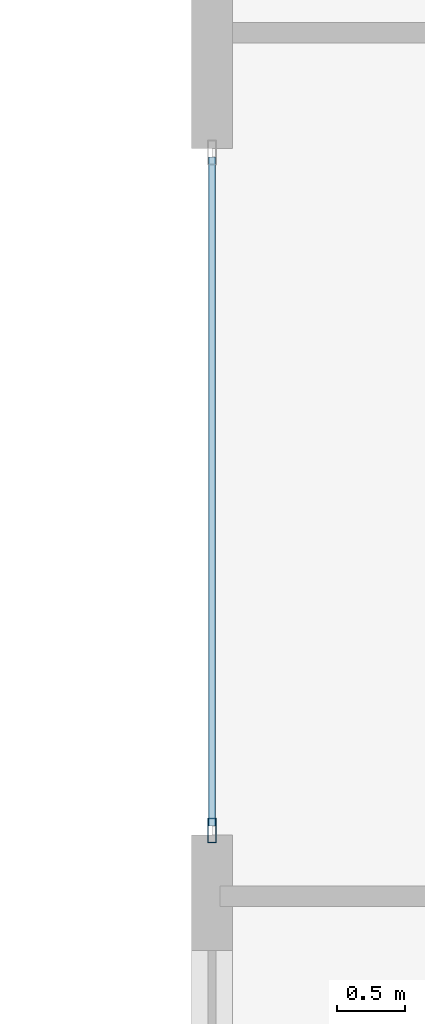
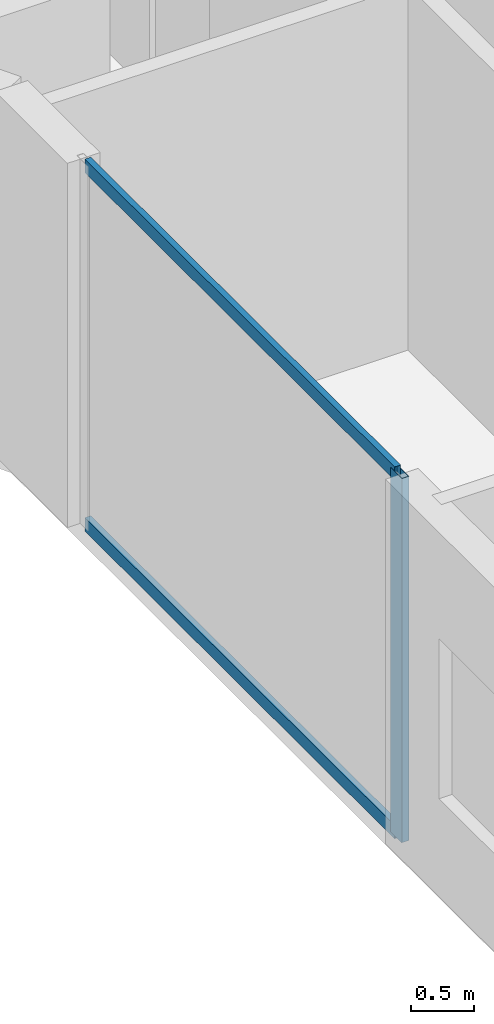
# One storey, part 4 of 33: 3 members, 1 element without a shape of its own.
"""IFC4 building model written with IfcOpenShell, lengths in metres."""

from ifc_helpers import new_model, si_unit, direction, frame, origin, origin_2d, place, context, subcontext, project, spatial, hollow_rectangle, extrude, material, layer, layer_set, material_profile, profile_set, type_object, element, aggregate, save


model = new_model("IFC4")

# Units and contexts
model_context = context("Model", 3, precision=1e-05, world=origin(), true_north=direction((0.0, 1.0)))
body_context = subcontext(model_context, "Body", "Model", "MODEL_VIEW")
ifc_project = project(units=[si_unit("LENGTHUNIT", "METRE"), si_unit("AREAUNIT", "SQUARE_METRE"), si_unit("VOLUMEUNIT", "CUBIC_METRE"), si_unit("PLANEANGLEUNIT", "RADIAN"), si_unit("MASSUNIT", "GRAM", prefix="KILO")], contexts=[model_context])

# Site, building, storey
site_placement = place(None, origin())
site = spatial("IfcSite", under=ifc_project, at=site_placement, CompositionType="ELEMENT")
building_placement = place(site_placement, origin())
building = spatial("IfcBuilding", under=site, at=building_placement, Name="Zuhayl Quay Hotel", CompositionType="ELEMENT")
storey_placement = place(building_placement, frame((0.0, 0.0, 199.89990234375)))
storey = spatial("IfcBuildingStorey", under=building, at=storey_placement, Name="L50", CompositionType="ELEMENT", Elevation=199.89990234375)

# Curtain wall, members
ifc_material_1 = material(Name="Anodised Aluminium 6063-T6", Category="aluminium")
ifc_layer = layer(ifc_material_1, 0.175048828125, Name="Anodised Aluminium 6063-T6", Category="aluminium")
ifc_layer_set = layer_set([ifc_layer], Name="Anodised Aluminium 6063-T6")
curtain_wall_type = type_object("IfcCurtainWallType", Name="CW_SYS_Z3", PredefinedType="USERDEFINED", material=ifc_layer_set)
curtain_wall_placement = place(storey_placement, origin())
curtain_wall = element("IfcCurtainWall", 1, at=curtain_wall_placement, inside=storey, type_object=curtain_wall_type, Name="L50 Curtain Wall ENV_L50_E02_CW1", ObjectType="UNITISED CURTAIN WALL", PredefinedType="USERDEFINED")
ifc_material_2 = material(Name="Black-anodised aluminium 6063-T6", Category="aluminium")
ifc_material_profile_1 = material_profile(ifc_material_2, hollow_rectangle(XDim=0.06494140625, YDim=0.179931640625, WallThickness=0.00341796875, at=origin_2d()), Name="ALU180X65")
ifc_profile_set_1 = profile_set([ifc_material_profile_1], Name="Black-anodised aluminium 6063-T6")
member_type_1 = type_object("IfcMemberType", Name="MB_CW_MUL_180", PredefinedType="MULLION", material=ifc_profile_set_1)
member_1_placement = place(storey_placement, frame((-22.10009765625, 2.032470703125, 0.0), z_axis=(0.0, 0.0, 1.0), x_axis=(-1.0, 0.0, 0.0)))
member_1 = element("IfcMember", 2, at=member_1_placement, type_object=member_type_1, Name="CW-Z3 mullion 1", PredefinedType="MULLION", context=body_context, shape_type="SweptSolid", body=[
    extrude(hollow_rectangle(XDim=0.06494140625, YDim=0.179931640625, WallThickness=0.00341796875, at=origin_2d()), origin(), (0.0, 0.0, 1.0), 3.530029296875),
])
ifc_material_profile_2 = material_profile(ifc_material_2, hollow_rectangle(XDim=0.054931640625, YDim=0.1298828125, WallThickness=0.0029296875, at=origin_2d()), Name="ALU130X55")
ifc_profile_set_2 = profile_set([ifc_material_profile_2], Name="Black-anodised aluminium 6063-T6")
member_type_2 = type_object("IfcMemberType", Name="MB_CW_TRN_130", PredefinedType="USERDEFINED", material=ifc_profile_set_2)
member_2_placement = place(storey_placement, frame((-22.10009765625, 2.06494140625, 0.027587890625), z_axis=(0.0, 1.0, 0.0), x_axis=(-1.0, 0.0, 0.0)))
member_2 = element("IfcMember", 3, at=member_2_placement, type_object=member_type_2, Name="CW-Z3 transom 1.1", ObjectType="TRANSOM", PredefinedType="USERDEFINED", context=body_context, shape_type="SweptSolid", body=[
    extrude(hollow_rectangle(XDim=0.054931640625, YDim=0.1298828125, WallThickness=0.0029296875, at=origin_2d()), origin(), (0.0, 0.0, 1.0), 4.920166015625),
])
member_3_placement = place(storey_placement, frame((-22.10009765625, 2.06494140625, 3.502685546875), z_axis=(0.0, 1.0, 0.0), x_axis=(-1.0, 0.0, 0.0)))
member_3 = element("IfcMember", 4, at=member_3_placement, type_object=member_type_2, Name="CW-Z3 transom 1.2", ObjectType="TRANSOM", PredefinedType="USERDEFINED", context=body_context, shape_type="SweptSolid", body=[
    extrude(hollow_rectangle(XDim=0.054931640625, YDim=0.1298828125, WallThickness=0.0029296875, at=origin_2d()), origin(), (0.0, 0.0, 1.0), 4.920166015625),
])
aggregate(curtain_wall, [member_1, member_2, member_3])

save(model, "model.ifc")
